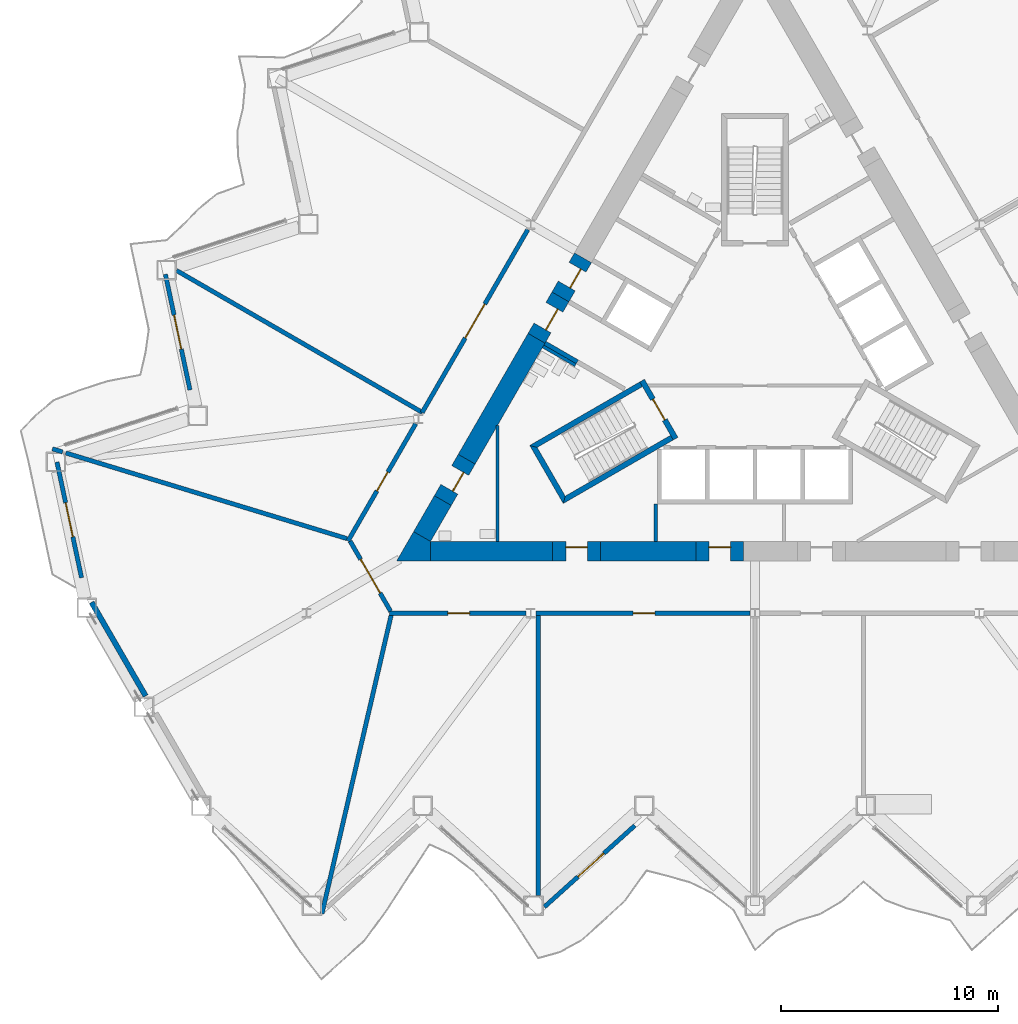
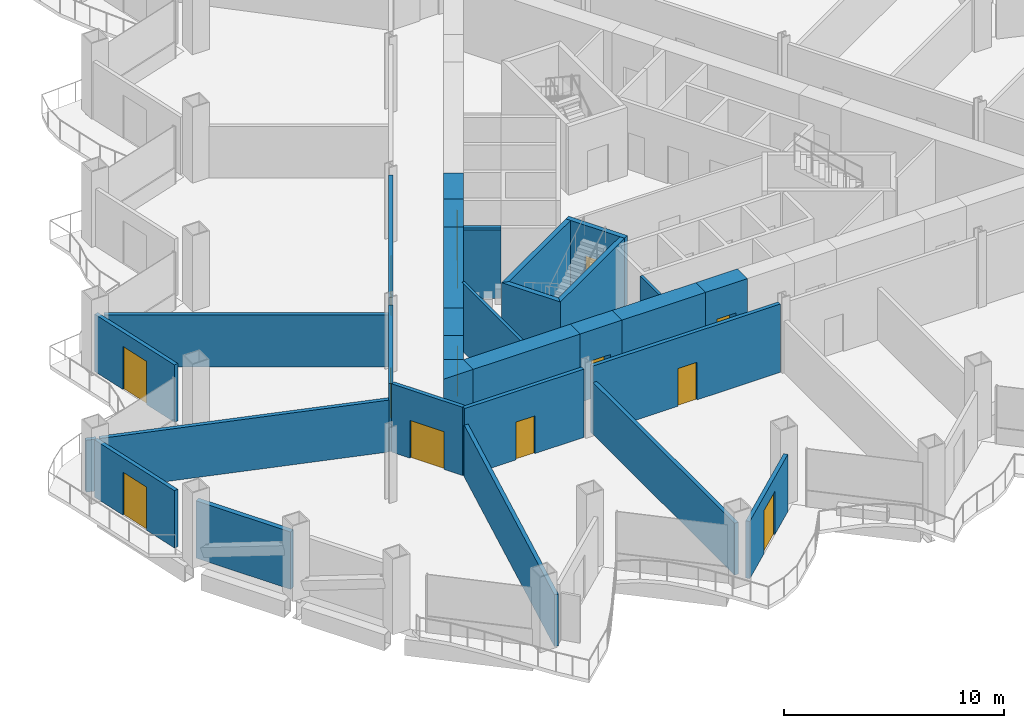
# One storey, part 10 of 21: 32 walls, 14 doors, 14 openings.
"""IFC4 building model written with IfcOpenShell, lengths in metres."""

from ifc_helpers import new_model, si_unit, direction, frame, frame_2d, origin, place, context, subcontext, project, spatial, polyline, rectangle, outline, extrude, material, layer, layer_set, type_object, element, fill, save


model = new_model("IFC4")

# Units and contexts
model_context = context("Model", 3, precision=1e-05, world=origin(), true_north=direction((0.0, 1.0)))
body_context = subcontext(model_context, "Body", "Model", "MODEL_VIEW")
ifc_project = project(units=[si_unit("LENGTHUNIT", "METRE"), si_unit("AREAUNIT", "SQUARE_METRE"), si_unit("VOLUMEUNIT", "CUBIC_METRE"), si_unit("PLANEANGLEUNIT", "RADIAN"), si_unit("MASSUNIT", "GRAM", prefix="KILO")], contexts=[model_context])

# Site, building, storey
site_placement = place(None, origin())
site = spatial("IfcSite", under=ifc_project, at=site_placement, CompositionType="ELEMENT")
building_placement = place(site_placement, origin())
building = spatial("IfcBuilding", under=site, at=building_placement, Name="Cormorant Prow Tower", CompositionType="ELEMENT")
storey_placement = place(building_placement, frame((0.0, 0.0, 99.60009765625)))
storey = spatial("IfcBuildingStorey", under=building, at=storey_placement, Name="L20", CompositionType="ELEMENT", Elevation=99.60009765625)

# Walls
ifc_material_1 = material(Name="Gypsum board partition")
ifc_layer_1 = layer(ifc_material_1, 0.14990234375)
ifc_layer_set_1 = layer_set([ifc_layer_1], Name="Gypsum board partition")
wall_type_1 = type_object("IfcWallType", Name="Core partition 150", PredefinedType="PARTITIONING", material=ifc_layer_set_1)
for number, where, z_axis, x_axis, name in (
    (1, (-8.268310546875, -0.509033203125, 0.0), (0.0, 0.0, 1.0), (-0.866024871741, 0.500000921525, 0.0), "Service room partition"),
    (2, (-4.574951171875, -6.906005859375, 0.0), (0.0, 0.0, 1.0), (0.0, -1.0, 0.0), "Service room partition"),
):
    element("IfcWall", number, at=place(storey_placement, frame(where, z_axis=z_axis, x_axis=x_axis)), inside=storey, type_object=wall_type_1, Name=name, PredefinedType="PARTITIONING", context=body_context, shape_type="SweptSolid", body=[
        extrude(rectangle(XDim=1.72021484375, YDim=0.14990234375, at=frame_2d((0.860107421875, 0.0))), origin(), (0.0, 0.0, 1.0), 3.7998046875),
    ])
wall_1_placement = place(storey_placement, frame((-11.853759765625, -8.626220703125, 0.0), z_axis=(0.0, 0.0, 1.0), x_axis=(0.0, 1.0, 0.0)))
element("IfcWall", 3, at=wall_1_placement, inside=storey, type_object=wall_type_1, Name="Service room partition", PredefinedType="PARTITIONING", context=body_context, shape_type="SweptSolid", body=[
    extrude(rectangle(XDim=5.347412109375, YDim=0.14990234375, at=frame_2d((2.673828125, 0.0))), origin(), (0.0, 0.0, 1.0), 3.7998046875),
])
ifc_material_2 = material(Name="Concrete 8000 psi", Category="concrete")
ifc_layer_2 = layer(ifc_material_2, 0.89990234375)
ifc_layer_set_2 = layer_set([ifc_layer_2], Name="Concrete 8000 psi")
wall_type_2 = type_object("IfcWallType", Name="Core shear wall 900", PredefinedType="SHEAR", material=ifc_layer_set_2)
wall_2_placement = place(storey_placement, frame((-14.941162109375, -9.076416015625, 0.0), z_axis=(0.0, 0.0, 1.0), x_axis=(1.0, 0.0, 0.0)))
element("IfcWall", 4, at=wall_2_placement, inside=storey, type_object=wall_type_2, Name="Core wall", PredefinedType="SHEAR", context=body_context, shape_type="SweptSolid", body=[
    extrude(rectangle(XDim=5.626708984375, YDim=0.89990234375, at=frame_2d((2.8134765625, 0.0))), origin(), (0.0, 0.0, 1.0), 3.7998046875),
])
wall_3_placement = place(storey_placement, frame((-7.114501953125, -9.076416015625, 0.0), z_axis=(0.0, 0.0, 1.0), x_axis=(1.0, 0.0, 0.0)))
element("IfcWall", 5, at=wall_3_placement, inside=storey, type_object=wall_type_2, Name="Core wall", PredefinedType="SHEAR", context=body_context, shape_type="SweptSolid", body=[
    extrude(rectangle(XDim=4.393310546875, YDim=0.89990234375, at=frame_2d((2.19677734375, 0.0))), origin(), (0.0, 0.0, 1.0), 3.7998046875),
])
wall_4_placement = place(storey_placement, frame((-10.060302734375, 0.7275390625, 0.0), z_axis=(0.0, 0.0, 1.0), x_axis=(-0.500002975332, -0.866023685969, 0.0)))
element("IfcWall", 6, at=wall_4_placement, inside=storey, type_object=wall_type_2, Name="Core wall", PredefinedType="SHEAR", context=body_context, shape_type="SweptSolid", body=[
    extrude(rectangle(XDim=6.4287109375, YDim=0.89990234375, at=frame_2d((3.21435546875, 0.0))), origin(), (0.0, 0.0, 1.0), 3.7998046875),
])
wall_5_placement = place(storey_placement, frame((-14.374755859375, -6.7451171875, 0.0), z_axis=(0.0, 0.0, 1.0), x_axis=(-0.499928740635, -0.866066541489, 0.0)))
element("IfcWall", 7, at=wall_5_placement, inside=storey, type_object=wall_type_2, Name="Core wall", PredefinedType="SHEAR", context=body_context, shape_type="SweptSolid", body=[
    extrude(rectangle(XDim=1.912353515625, YDim=0.89990234375, at=frame_2d((0.9560546875, 0.0))), origin(), (0.0, 0.0, 1.0), 3.7998046875),
])
wall_6_placement = place(storey_placement, origin())
element("IfcWall", 8, at=wall_6_placement, inside=storey, type_object=wall_type_2, Name="Core wall corner", PredefinedType="SHEAR", context=body_context, shape_type="SweptSolid", body=[
    extrude(outline(polyline([(-14.941162109375, -8.626220703125), (-14.941162109375, -9.5263671875), (-16.5, -9.5263671875), (-15.720703125, -8.17626953125), (-14.941162109375, -8.626220703125)])), origin(), (0.0, 0.0, 1.0), 3.7998046875),
])

# Wall, opening, door
wall_7_placement = place(storey_placement, frame((-2.72119140625, -9.076416015625, 0.0), z_axis=(0.0, 0.0, 1.0), x_axis=(1.0, 0.0, 0.0)))
wall_7 = element("IfcWall", 9, at=wall_7_placement, inside=storey, type_object=wall_type_2, Name="Core wall door panel", PredefinedType="SHEAR", context=body_context, shape_type="SweptSolid", body=[
    extrude(rectangle(XDim=2.199951171875, YDim=0.89990234375, at=frame_2d((1.10009765625, 0.0))), origin(), (0.0, 0.0, 1.0), 3.7998046875),
])
opening_1_placement = place(wall_7_placement, frame((0.60009765625, 0.0, 0.0)))
opening_1 = element("IfcOpeningElement", 10, at=opening_1_placement, cuts=wall_7, Name="Opening L20-C15", PredefinedType="OPENING", context=body_context, shape_type="SweptSolid", body=[
    extrude(rectangle(XDim=1.0, YDim=2.10009765625, at=frame_2d((0.5, 1.050048828125))), frame((0.0, 0.4599609375, 0.0), z_axis=(0.0, -1.0, 0.0), x_axis=(1.0, 0.0, 0.0)), (0.0, 0.0, 1.0), 0.919921875),
])
ifc_material_3 = material(Name="Painted steel", Category="steel")
door_type_1 = type_object("IfcDoorType", Name="Service door 1000x2100", OperationType="NOTDEFINED", PredefinedType="DOOR", material=ifc_material_3)
door_1_placement = place(opening_1_placement, origin())
door_1 = element("IfcDoor", 11, at=door_1_placement, inside=storey, type_object=door_type_1, Name="Core door, Telecom room", OperationType="SINGLE_SWING_RIGHT", OverallHeight=2.10009765625, OverallWidth=1.0, PredefinedType="DOOR", context=body_context, shape_type="SweptSolid", body=[
    extrude(rectangle(XDim=1.0, YDim=2.10009765625, at=frame_2d((0.5, 1.050048828125))), frame((0.0, 0.205078125, 0.0), z_axis=(0.0, -1.0, 0.0), x_axis=(1.0, 0.0, 0.0)), (0.0, 0.0, 1.0), 0.050048828125),
])
fill(opening_1, door_1)

wall_8_placement = place(storey_placement, frame((-13.274658203125, -4.83984375, 0.0), z_axis=(0.0, 0.0, 1.0), x_axis=(-0.50002983664, -0.866008176907, 0.0)))
wall_8 = element("IfcWall", 12, at=wall_8_placement, inside=storey, type_object=wall_type_2, Name="Core wall door panel", PredefinedType="SHEAR", context=body_context, shape_type="SweptSolid", body=[
    extrude(rectangle(XDim=2.199951171875, YDim=0.89990234375, at=frame_2d((1.10009765625, 0.0))), origin(), (0.0, 0.0, 1.0), 3.7998046875),
])
opening_2_placement = place(wall_8_placement, frame((0.60009765625, 0.0, 0.0)))
opening_2 = element("IfcOpeningElement", 13, at=opening_2_placement, cuts=wall_8, Name="Opening L20-C18", PredefinedType="OPENING", context=body_context, shape_type="SweptSolid", body=[
    extrude(rectangle(XDim=1.0, YDim=2.10009765625, at=frame_2d((0.5, 1.050048828125))), frame((0.0, 0.4599609375, 0.0), z_axis=(0.0, -1.0, 0.0), x_axis=(1.0, 0.0, 0.0)), (0.0, 0.0, 1.0), 0.919921875),
])
door_2_placement = place(opening_2_placement, origin())
door_2 = element("IfcDoor", 14, at=door_2_placement, inside=storey, type_object=door_type_1, Name="Core door, Accessible WC L20", OperationType="SINGLE_SWING_LEFT", OverallHeight=2.10009765625, OverallWidth=1.0, PredefinedType="DOOR", context=body_context, shape_type="SweptSolid", body=[
    extrude(rectangle(XDim=1.0, YDim=2.10009765625, at=frame_2d((0.5, 1.050048828125))), frame((0.0, 0.205078125, 0.0), z_axis=(0.0, -1.0, 0.0), x_axis=(1.0, 0.0, 0.0)), (0.0, 0.0, 1.0), 0.050048828125),
])
fill(opening_2, door_2)

wall_9_placement = place(storey_placement, frame((-9.314453125, -9.076416015625, 0.0), z_axis=(0.0, 0.0, 1.0), x_axis=(1.0, 0.0, 0.0)))
wall_9 = element("IfcWall", 15, at=wall_9_placement, inside=storey, type_object=wall_type_2, Name="Core wall door panel", PredefinedType="SHEAR", context=body_context, shape_type="SweptSolid", body=[
    extrude(rectangle(XDim=2.199951171875, YDim=0.89990234375, at=frame_2d((1.10009765625, 0.0))), origin(), (0.0, 0.0, 1.0), 3.7998046875),
])
opening_3_placement = place(wall_9_placement, frame((0.60009765625, 0.0, 0.0)))
opening_3 = element("IfcOpeningElement", 16, at=opening_3_placement, cuts=wall_9, Name="Opening L20-C19", PredefinedType="OPENING", context=body_context, shape_type="SweptSolid", body=[
    extrude(rectangle(XDim=1.0, YDim=2.10009765625, at=frame_2d((0.5, 1.050048828125))), frame((0.0, 0.4599609375, 0.0), z_axis=(0.0, -1.0, 0.0), x_axis=(1.0, 0.0, 0.0)), (0.0, 0.0, 1.0), 0.919921875),
])
door_3_placement = place(opening_3_placement, origin())
door_3 = element("IfcDoor", 17, at=door_3_placement, inside=storey, type_object=door_type_1, Name="Core door, Toilets (women) L20", OperationType="SINGLE_SWING_LEFT", OverallHeight=2.10009765625, OverallWidth=1.0, PredefinedType="DOOR", context=body_context, shape_type="SweptSolid", body=[
    extrude(rectangle(XDim=1.0, YDim=2.10009765625, at=frame_2d((0.5, 1.050048828125))), frame((0.0, 0.205078125, 0.0), z_axis=(0.0, -1.0, 0.0), x_axis=(1.0, 0.0, 0.0)), (0.0, 0.0, 1.0), 0.050048828125),
])
fill(opening_3, door_3)

wall_10_placement = place(storey_placement, frame((-7.92041015625, 4.43408203125, 0.0), z_axis=(0.0, 0.0, 1.0), x_axis=(-0.499939227269, -0.866060488094, 0.0)))
wall_10 = element("IfcWall", 18, at=wall_10_placement, inside=storey, type_object=wall_type_2, Name="Core wall door panel", PredefinedType="SHEAR", context=body_context, shape_type="SweptSolid", body=[
    extrude(rectangle(XDim=2.079833984375, YDim=0.89990234375, at=frame_2d((1.0400390625, 0.0))), origin(), (0.0, 0.0, 1.0), 3.7998046875),
])
opening_4_placement = place(wall_10_placement, frame((0.5, 0.0, 0.0)))
opening_4 = element("IfcOpeningElement", 19, at=opening_4_placement, cuts=wall_10, Name="Opening L20-C21", PredefinedType="OPENING", context=body_context, shape_type="SweptSolid", body=[
    extrude(rectangle(XDim=1.0, YDim=2.10009765625, at=frame_2d((0.5, 1.050048828125))), frame((0.0, 0.4599609375, 0.0), z_axis=(0.0, -1.0, 0.0), x_axis=(1.0, 0.0, 0.0)), (0.0, 0.0, 1.0), 0.919921875),
])
door_4_placement = place(opening_4_placement, origin())
door_4 = element("IfcDoor", 20, at=door_4_placement, inside=storey, type_object=door_type_1, Name="Core door, Electrical room", OperationType="SINGLE_SWING_RIGHT", OverallHeight=2.10009765625, OverallWidth=1.0, PredefinedType="DOOR", context=body_context, shape_type="SweptSolid", body=[
    extrude(rectangle(XDim=1.0, YDim=2.10009765625, at=frame_2d((0.5, 1.050048828125))), frame((0.0, 0.205078125, 0.0), z_axis=(0.0, -1.0, 0.0), x_axis=(1.0, 0.0, 0.0)), (0.0, 0.0, 1.0), 0.050048828125),
])
fill(opening_4, door_4)

wall_11_placement = place(storey_placement, frame((-8.960205078125, 2.6328125, 0.0), z_axis=(0.0, 0.0, 1.0), x_axis=(-0.50002983664, -0.866008176907, 0.0)))
wall_11 = element("IfcWall", 21, at=wall_11_placement, inside=storey, type_object=wall_type_2, Name="Core wall door panel", PredefinedType="SHEAR", context=body_context, shape_type="SweptSolid", body=[
    extrude(rectangle(XDim=2.199951171875, YDim=0.89990234375, at=frame_2d((1.10009765625, 0.0))), origin(), (0.0, 0.0, 1.0), 3.7998046875),
])
opening_5_placement = place(wall_11_placement, frame((0.550048828125, 0.0, 0.0)))
opening_5 = element("IfcOpeningElement", 22, at=opening_5_placement, cuts=wall_11, Name="Opening L20-C24", PredefinedType="OPENING", context=body_context, shape_type="SweptSolid", body=[
    extrude(rectangle(XDim=1.10009765625, YDim=2.10009765625, at=frame_2d((0.550048828125, 1.050048828125))), frame((0.0, 0.4599609375, 0.0), z_axis=(0.0, -1.0, 0.0), x_axis=(1.0, 0.0, 0.0)), (0.0, 0.0, 1.0), 0.919921875),
])
ifc_material_4 = material(Name="Painted steel", Category="steel")
door_type_2 = type_object("IfcDoorType", Name="Core door 1100x2100", OperationType="NOTDEFINED", PredefinedType="DOOR", material=ifc_material_4)
door_5_placement = place(opening_5_placement, origin())
door_5 = element("IfcDoor", 23, at=door_5_placement, inside=storey, type_object=door_type_2, Name="Core door, lift lobby", OperationType="SINGLE_SWING_LEFT", OverallHeight=2.10009765625, OverallWidth=1.10009765625, PredefinedType="DOOR", context=body_context, shape_type="SweptSolid", body=[
    extrude(rectangle(XDim=1.10009765625, YDim=2.10009765625, at=frame_2d((0.550048828125, 1.050048828125))), frame((0.0, 0.205078125, 0.0), z_axis=(0.0, -1.0, 0.0), x_axis=(1.0, 0.0, 0.0)), (0.0, 0.0, 1.0), 0.050048828125),
])
fill(opening_5, door_5)

ifc_material_5 = material(Name="Gypsum board corridor wall")
ifc_layer_3 = layer(ifc_material_5, 0.199951171875)
ifc_layer_set_3 = layer_set([ifc_layer_3], Name="Gypsum board corridor wall")
wall_type_3 = type_object("IfcWallType", Name="Corridor wall 200", PredefinedType="PARTITIONING", material=ifc_layer_set_3)
wall_12_placement = place(storey_placement, frame((-10.095458984375, -11.92626953125, 0.0), z_axis=(0.0, 0.0, 1.0), x_axis=(1.0, 0.0, 0.0)))
wall_12 = element("IfcWall", 24, at=wall_12_placement, inside=storey, type_object=wall_type_3, Name="Corridor wall", PredefinedType="PARTITIONING", context=body_context, shape_type="SweptSolid", body=[
    extrude(rectangle(XDim=9.8681640625, YDim=0.199951171875, at=frame_2d((4.93408203125, 0.0))), origin(), (0.0, 0.0, 1.0), 3.7998046875),
])
opening_6_placement = place(wall_12_placement, frame((4.484375, 0.0, 0.0)))
opening_6 = element("IfcOpeningElement", 25, at=opening_6_placement, cuts=wall_12, Name="Opening L20-F02", PredefinedType="OPENING", context=body_context, shape_type="SweptSolid", body=[
    extrude(rectangle(XDim=1.0, YDim=2.10009765625, at=frame_2d((0.5, 1.050048828125))), frame((0.0, 0.10986328125, 0.0), z_axis=(0.0, -1.0, 0.0), x_axis=(1.0, 0.0, 0.0)), (0.0, 0.0, 1.0), 0.219970703125),
])
ifc_material_6 = material(Name="Timber door leaf", Category="wood")
door_type_3 = type_object("IfcDoorType", Name="Office door 1000x2100", OperationType="NOTDEFINED", PredefinedType="DOOR", material=ifc_material_6)
door_6_placement = place(opening_6_placement, origin())
door_6 = element("IfcDoor", 26, at=door_6_placement, inside=storey, type_object=door_type_3, Name="Tenant suite door", OperationType="SINGLE_SWING_LEFT", OverallHeight=2.10009765625, OverallWidth=1.0, PredefinedType="DOOR", context=body_context, shape_type="SweptSolid", body=[
    extrude(rectangle(XDim=1.0, YDim=2.10009765625, at=frame_2d((0.5, 1.050048828125))), frame((0.0, 0.02490234375, 0.0), z_axis=(0.0, -1.0, 0.0), x_axis=(1.0, 0.0, 0.0)), (0.0, 0.0, 1.0), 0.050048828125),
])
fill(opening_6, door_6)

wall_13_placement = place(storey_placement, frame((-15.326171875, -2.693115234375, 0.0), z_axis=(0.0, 0.0, 1.0), x_axis=(0.500010522431, 0.866019328571, 0.0)))
wall_13 = element("IfcWall", 27, at=wall_13_placement, inside=storey, type_object=wall_type_3, Name="Corridor wall", PredefinedType="PARTITIONING", context=body_context, shape_type="SweptSolid", body=[
    extrude(rectangle(XDim=9.732666015625, YDim=0.199951171875, at=frame_2d((4.8662109375, 0.0))), origin(), (0.0, 0.0, 1.0), 3.7998046875),
])
opening_7_placement = place(wall_13_placement, frame((3.96630859375, 0.0, 0.0)))
opening_7 = element("IfcOpeningElement", 28, at=opening_7_placement, cuts=wall_13, Name="Opening L20-F13", PredefinedType="OPENING", context=body_context, shape_type="SweptSolid", body=[
    extrude(rectangle(XDim=1.800048828125, YDim=2.10009765625, at=frame_2d((0.89990234375, 1.050048828125))), frame((0.0, 0.10986328125, 0.0), z_axis=(0.0, -1.0, 0.0), x_axis=(1.0, 0.0, 0.0)), (0.0, 0.0, 1.0), 0.219970703125),
])
ifc_material_7 = material(Name="Timber door leaf", Category="wood")
door_type_4 = type_object("IfcDoorType", Name="Double door 1800x2100", OperationType="DOUBLE_DOOR_SINGLE_SWING", PredefinedType="DOOR", material=ifc_material_7)
door_7_placement = place(opening_7_placement, origin())
door_7 = element("IfcDoor", 29, at=door_7_placement, inside=storey, type_object=door_type_4, Name="Trading room door", OperationType="DOUBLE_DOOR_SINGLE_SWING", OverallHeight=2.10009765625, OverallWidth=1.800048828125, PredefinedType="DOOR", context=body_context, shape_type="SweptSolid", body=[
    extrude(rectangle(XDim=1.800048828125, YDim=2.10009765625, at=frame_2d((0.89990234375, 1.050048828125))), frame((0.0, 0.02490234375, 0.0), z_axis=(0.0, -1.0, 0.0), x_axis=(1.0, 0.0, 0.0)), (0.0, 0.0, 1.0), 0.050048828125),
])
fill(opening_7, door_7)

wall_14_placement = place(storey_placement, frame((-16.830810546875, -11.92626953125, 0.0), z_axis=(0.0, 0.0, 1.0), x_axis=(1.0, 0.0, 0.0)))
wall_14 = element("IfcWall", 30, at=wall_14_placement, inside=storey, type_object=wall_type_3, Name="Corridor wall", PredefinedType="PARTITIONING", context=body_context, shape_type="SweptSolid", body=[
    extrude(rectangle(XDim=6.27490234375, YDim=0.199951171875, at=frame_2d((3.137451171875, 0.0))), origin(), (0.0, 0.0, 1.0), 3.7998046875),
])
opening_8_placement = place(wall_14_placement, frame((2.688232421875, 0.0, 0.0)))
opening_8 = element("IfcOpeningElement", 31, at=opening_8_placement, cuts=wall_14, Name="Opening L20-F01", PredefinedType="OPENING", context=body_context, shape_type="SweptSolid", body=[
    extrude(rectangle(XDim=1.0, YDim=2.10009765625, at=frame_2d((0.5, 1.050048828125))), frame((0.0, 0.10986328125, 0.0), z_axis=(0.0, -1.0, 0.0), x_axis=(1.0, 0.0, 0.0)), (0.0, 0.0, 1.0), 0.219970703125),
])
door_8_placement = place(opening_8_placement, origin())
door_8 = element("IfcDoor", 32, at=door_8_placement, inside=storey, type_object=door_type_3, Name="Co-working room door", OperationType="SINGLE_SWING_LEFT", OverallHeight=2.10009765625, OverallWidth=1.0, PredefinedType="DOOR", context=body_context, shape_type="SweptSolid", body=[
    extrude(rectangle(XDim=1.0, YDim=2.10009765625, at=frame_2d((0.5, 1.050048828125))), frame((0.0, 0.02490234375, 0.0), z_axis=(0.0, -1.0, 0.0), x_axis=(1.0, 0.0, 0.0)), (0.0, 0.0, 1.0), 0.050048828125),
])
fill(opening_8, door_8)

wall_15_placement = place(storey_placement, frame((-18.743896484375, -8.61279296875, 0.0), z_axis=(0.0, 0.0, 1.0), x_axis=(0.499997920671, 0.866026604282, 0.0)))
wall_15 = element("IfcWall", 33, at=wall_15_placement, inside=storey, type_object=wall_type_3, Name="Corridor wall", PredefinedType="PARTITIONING", context=body_context, shape_type="SweptSolid", body=[
    extrude(rectangle(XDim=6.23974609375, YDim=0.199951171875, at=frame_2d((3.119873046875, 0.0))), origin(), (0.0, 0.0, 1.0), 3.7998046875),
])
opening_9_placement = place(wall_15_placement, frame((2.67041015625, 0.0, 0.0)))
opening_9 = element("IfcOpeningElement", 34, at=opening_9_placement, cuts=wall_15, Name="Opening L20-F14", PredefinedType="OPENING", context=body_context, shape_type="SweptSolid", body=[
    extrude(rectangle(XDim=1.0, YDim=2.10009765625, at=frame_2d((0.5, 1.050048828125))), frame((0.0, 0.10986328125, 0.0), z_axis=(0.0, -1.0, 0.0), x_axis=(1.0, 0.0, 0.0)), (0.0, 0.0, 1.0), 0.219970703125),
])
door_9_placement = place(opening_9_placement, origin())
door_9 = element("IfcDoor", 35, at=door_9_placement, inside=storey, type_object=door_type_3, Name="Open-plan office door", OperationType="SINGLE_SWING_LEFT", OverallHeight=2.10009765625, OverallWidth=1.0, PredefinedType="DOOR", context=body_context, shape_type="SweptSolid", body=[
    extrude(rectangle(XDim=1.0, YDim=2.10009765625, at=frame_2d((0.5, 1.050048828125))), frame((0.0, 0.02490234375, 0.0), z_axis=(0.0, -1.0, 0.0), x_axis=(1.0, 0.0, 0.0)), (0.0, 0.0, 1.0), 0.050048828125),
])
fill(opening_9, door_9)

wall_16_placement = place(storey_placement, frame((-18.643798828125, -8.61279296875, 0.0), z_axis=(0.0, 0.0, 1.0), x_axis=(0.499958791762, -0.866049194065, 0.0)))
wall_16 = element("IfcWall", 36, at=wall_16_placement, inside=storey, type_object=wall_type_3, Name="Corridor wall", PredefinedType="PARTITIONING", context=body_context, shape_type="SweptSolid", body=[
    extrude(rectangle(XDim=3.725830078125, YDim=0.199951171875, at=frame_2d((1.86279296875, 0.0))), origin(), (0.0, 0.0, 1.0), 3.7998046875),
])
opening_10_placement = place(wall_16_placement, frame((0.962890625, 0.0, 0.0)))
opening_10 = element("IfcOpeningElement", 37, at=opening_10_placement, cuts=wall_16, Name="Opening L20-F15", PredefinedType="OPENING", context=body_context, shape_type="SweptSolid", body=[
    extrude(rectangle(XDim=1.800048828125, YDim=2.10009765625, at=frame_2d((0.89990234375, 1.050048828125))), frame((0.0, 0.10986328125, 0.0), z_axis=(0.0, -1.0, 0.0), x_axis=(1.0, 0.0, 0.0)), (0.0, 0.0, 1.0), 0.219970703125),
])
door_10_placement = place(opening_10_placement, origin())
door_10 = element("IfcDoor", 38, at=door_10_placement, inside=storey, type_object=door_type_4, Name="Trading room door", OperationType="DOUBLE_DOOR_SINGLE_SWING", OverallHeight=2.10009765625, OverallWidth=1.800048828125, PredefinedType="DOOR", context=body_context, shape_type="SweptSolid", body=[
    extrude(rectangle(XDim=1.800048828125, YDim=2.10009765625, at=frame_2d((0.89990234375, 1.050048828125))), frame((0.0, 0.02490234375, 0.0), z_axis=(0.0, -1.0, 0.0), x_axis=(1.0, 0.0, 0.0)), (0.0, 0.0, 1.0), 0.050048828125),
])
fill(opening_10, door_10)

# Walls
ifc_material_8 = material(Name="Gypsum board demising wall")
ifc_layer_4 = layer(ifc_material_8, 0.199951171875)
ifc_layer_set_4 = layer_set([ifc_layer_4], Name="Gypsum board demising wall")
wall_type_4 = type_object("IfcWallType", Name="Demising wall 200", PredefinedType="PARTITIONING", material=ifc_layer_set_4)
wall_17_placement = place(storey_placement, frame((-19.939697265625, -25.766845703125, 0.0), z_axis=(0.0, 0.0, 1.0), x_axis=(0.225854066841, 0.974161147086, 0.0)))
element("IfcWall", 39, at=wall_17_placement, inside=storey, type_object=wall_type_4, Name="Demising wall", PredefinedType="PARTITIONING", context=body_context, shape_type="SweptSolid", body=[
    extrude(rectangle(XDim=14.107666015625, YDim=0.199951171875, at=frame_2d((7.0537109375, 0.0))), origin(), (0.0, 0.0, 1.0), 2.88525390625),
])
wall_18_placement = place(storey_placement, frame((-31.736083984375, -4.552001953125, 0.0), z_axis=(0.0, 0.0, 1.0), x_axis=(0.956574643239, -0.291487481569, 0.0)))
element("IfcWall", 40, at=wall_18_placement, inside=storey, type_object=wall_type_4, Name="Demising wall", PredefinedType="PARTITIONING", context=body_context, shape_type="SweptSolid", body=[
    extrude(rectangle(XDim=13.5341796875, YDim=0.199951171875, at=frame_2d((6.76708984375, 0.0))), origin(), (0.0, 0.0, 1.0), 2.88525390625),
])
wall_19_placement = place(storey_placement, frame((-26.63623046875, 3.848388671875, 0.0), z_axis=(0.0, 0.0, 1.0), x_axis=(0.866029068465, -0.499993652534, 0.0)))
element("IfcWall", 41, at=wall_19_placement, inside=storey, type_object=wall_type_4, Name="Demising wall", PredefinedType="PARTITIONING", context=body_context, shape_type="SweptSolid", body=[
    extrude(rectangle(XDim=13.065673828125, YDim=0.199951171875, at=frame_2d((6.53271484375, 0.0))), origin(), (0.0, 0.0, 1.0), 2.88525390625),
])
wall_20_placement = place(storey_placement, frame((-9.9853515625, -24.939208984375, 0.0), z_axis=(0.0, 0.0, 1.0), x_axis=(0.0, 1.0, 0.0)))
element("IfcWall", 42, at=wall_20_placement, inside=storey, type_object=wall_type_4, Name="Demising wall", PredefinedType="PARTITIONING", context=body_context, shape_type="SweptSolid", body=[
    extrude(rectangle(XDim=12.912841796875, YDim=0.199951171875, at=frame_2d((6.45654296875, 0.0))), origin(), (0.0, 0.0, 1.0), 2.88525390625),
])
wall_21_placement = place(storey_placement, frame((-32.353759765625, -4.364013671875, 0.0), z_axis=(0.0, 0.0, 1.0), x_axis=(0.956697940105, -0.291082550832, 0.0)))
element("IfcWall", 43, at=wall_21_placement, inside=storey, type_object=wall_type_4, Name="Demising wall", PredefinedType="PARTITIONING", context=body_context, shape_type="SweptSolid", body=[
    extrude(rectangle(XDim=0.491455078125, YDim=0.199951171875, at=frame_2d((0.24560546875, 0.0))), origin(), (0.0, 0.0, 1.0), 2.88525390625),
])
ifc_material_9 = material(Name="Concrete 8000 psi", Category="concrete")
ifc_layer_5 = layer(ifc_material_9, 0.199951171875)
ifc_layer_set_5 = layer_set([ifc_layer_5], Name="Concrete 8000 psi")
wall_type_5 = type_object("IfcWallType", Name="Lift shaft wall 200", PredefinedType="SHEAR", material=ifc_layer_set_5)
wall_22_placement = place(storey_placement, frame((-8.180908203125, -0.357421875, 0.0), z_axis=(0.0, 0.0, 1.0), x_axis=(-0.866024871741, 0.500000921525, 0.0)))
element("IfcWall", 44, at=wall_22_placement, inside=storey, type_object=wall_type_5, Name="Lobby passage wall", PredefinedType="SHEAR", context=body_context, shape_type="SweptSolid", body=[
    extrude(rectangle(XDim=1.72021484375, YDim=0.199951171875, at=frame_2d((0.860107421875, 0.0))), origin(), (0.0, 0.0, 1.0), 3.7998046875),
])
ifc_material_10 = material(Name="Concrete 8000 psi", Category="concrete")
ifc_layer_6 = layer(ifc_material_10, 0.25)
ifc_layer_set_6 = layer_set([ifc_layer_6], Name="Concrete 8000 psi")
wall_type_6 = type_object("IfcWallType", Name="Stair wall 250", PredefinedType="SHEAR", material=ifc_layer_set_6)
wall_23_placement = place(storey_placement, origin())
element("IfcWall", 45, at=wall_23_placement, inside=storey, type_object=wall_type_6, Name="Stair ST1 enclosure wall (flank)", PredefinedType="SHEAR", context=body_context, shape_type="SweptSolid", body=[
    extrude(outline(polyline([(-5.30712890625, -1.28125), (-10.37353515625, -4.206298828125), (-10.031982421875, -4.2978515625), (-5.18212890625, -1.497802734375), (-5.30712890625, -1.28125)])), origin(), (0.0, 0.0, 1.0), 3.7998046875),
])
wall_24_placement = place(storey_placement, origin())
element("IfcWall", 46, at=wall_24_placement, inside=storey, type_object=wall_type_6, Name="Stair ST1 enclosure wall (end)", PredefinedType="SHEAR", context=body_context, shape_type="SweptSolid", body=[
    extrude(outline(polyline([(-10.37353515625, -4.206298828125), (-8.82958984375, -6.880615234375), (-8.738037109375, -6.5390625), (-10.031982421875, -4.2978515625), (-10.37353515625, -4.206298828125)])), origin(), (0.0, 0.0, 1.0), 3.7998046875),
])
wall_25_placement = place(storey_placement, origin())
element("IfcWall", 47, at=wall_25_placement, inside=storey, type_object=wall_type_6, Name="Stair ST1 enclosure wall (flank)", PredefinedType="SHEAR", context=body_context, shape_type="SweptSolid", body=[
    extrude(outline(polyline([(-8.738037109375, -6.5390625), (-8.82958984375, -6.880615234375), (-3.76318359375, -3.95556640625), (-3.88818359375, -3.739013671875), (-8.738037109375, -6.5390625)])), origin(), (0.0, 0.0, 1.0), 3.7998046875),
])

# Wall, opening, door
wall_26_placement = place(storey_placement, frame((-5.198974609375, -1.21875, 0.0), z_axis=(0.0, 0.0, 1.0), x_axis=(0.499982516597, -0.866035497597, 0.0)))
wall_26 = element("IfcWall", 48, at=wall_26_placement, inside=storey, type_object=wall_type_6, Name="Stair ST1 door wall", PredefinedType="SHEAR", context=body_context, shape_type="SweptSolid", body=[
    extrude(rectangle(XDim=3.087890625, YDim=0.25, at=frame_2d((1.5439453125, 0.0))), origin(), (0.0, 0.0, 1.0), 3.7998046875),
])
opening_11_placement = place(wall_26_placement, frame((0.993896484375, 0.0, 0.0)))
opening_11 = element("IfcOpeningElement", 49, at=opening_11_placement, cuts=wall_26, Name="Opening L20-C12", PredefinedType="OPENING", context=body_context, shape_type="SweptSolid", body=[
    extrude(rectangle(XDim=1.10009765625, YDim=2.10009765625, at=frame_2d((0.550048828125, 1.050048828125))), frame((0.0, 0.135009765625, 0.0), z_axis=(0.0, -1.0, 0.0), x_axis=(1.0, 0.0, 0.0)), (0.0, 0.0, 1.0), 0.27001953125),
])
ifc_material_11 = material(Name="Painted steel", Category="steel")
door_type_5 = type_object("IfcDoorType", Name="Stair door 1100x2100", OperationType="NOTDEFINED", PredefinedType="DOOR", material=ifc_material_11)
door_11_placement = place(opening_11_placement, origin())
door_11 = element("IfcDoor", 50, at=door_11_placement, inside=storey, type_object=door_type_5, Name="Stair ST1 door", OperationType="SINGLE_SWING_LEFT", OverallHeight=2.10009765625, OverallWidth=1.10009765625, PredefinedType="DOOR", context=body_context, shape_type="SweptSolid", body=[
    extrude(rectangle(XDim=1.10009765625, YDim=2.10009765625, at=frame_2d((0.550048828125, 1.050048828125))), frame((0.0, 0.02490234375, 0.0), z_axis=(0.0, -1.0, 0.0), x_axis=(1.0, 0.0, 0.0)), (0.0, 0.0, 1.0), 0.050048828125),
])
fill(opening_11, door_11)

# Wall
ifc_material_12 = material(Name="Terracotta", Category="masonry")
ifc_layer_7 = layer(ifc_material_12, 0.25)
ifc_layer_set_7 = layer_set([ifc_layer_7], Name="Terracotta")
wall_type_7 = type_object("IfcWallType", Name="Terracotta bay wall 250", PredefinedType="SOLIDWALL", material=ifc_layer_set_7)
wall_27_placement = place(storey_placement, frame((-30.54931640625, -11.4296875, 0.0), z_axis=(0.0, 0.0, 1.0), x_axis=(0.499992577793, -0.866029688955, 0.0)))
element("IfcWall", 51, at=wall_27_placement, inside=storey, type_object=wall_type_7, Name="Terracotta bay wall WSW00", PredefinedType="SOLIDWALL", context=body_context, shape_type="SweptSolid", body=[
    extrude(rectangle(XDim=4.98095703125, YDim=0.25, at=frame_2d((2.490478515625, 0.0))), origin(), (0.0, 0.0, 1.0), 3.188720703125),
])

# Wall, opening, door
ifc_material_13 = material(Name="Terracotta", Category="masonry")
ifc_layer_8 = layer(ifc_material_13, 0.199951171875)
ifc_layer_set_8 = layer_set([ifc_layer_8], Name="Terracotta")
wall_type_8 = type_object("IfcWallType", Name="Terracotta jamb wall 200", PredefinedType="SOLIDWALL", material=ifc_layer_set_8)
wall_28_placement = place(storey_placement, frame((-9.6962890625, -25.45556640625, 0.0), z_axis=(0.0, 0.0, 1.0), x_axis=(0.743151138555, 0.66912359491, 0.0)))
wall_28 = element("IfcWall", 52, at=wall_28_placement, inside=storey, type_object=wall_type_8, Name="Terracotta jamb wall S03", PredefinedType="SOLIDWALL", context=body_context, shape_type="SweptSolid", body=[
    extrude(rectangle(XDim=5.603271484375, YDim=0.199951171875, at=frame_2d((2.8017578125, 0.0))), origin(), (0.0, 0.0, 1.0), 3.188720703125),
])
opening_12_placement = place(wall_28_placement, frame((2.080322265625, 0.0, 0.0)))
opening_12 = element("IfcOpeningElement", 53, at=opening_12_placement, cuts=wall_28, Name="Opening ED20.02", PredefinedType="OPENING", context=body_context, shape_type="SweptSolid", body=[
    extrude(rectangle(XDim=1.60009765625, YDim=2.39990234375, at=frame_2d((0.800048828125, 1.199951171875))), frame((0.0, 0.10986328125, 0.0), z_axis=(0.0, -1.0, 0.0), x_axis=(1.0, 0.0, 0.0)), (0.0, 0.0, 1.0), 0.219970703125),
])
ifc_material_14 = material(Name="Aluminium 6063-T6", Category="aluminium")
door_type_6 = type_object("IfcDoorType", Name="Balcony door 1600x2400", OperationType="DOUBLE_DOOR_SINGLE_SWING", PredefinedType="DOOR", material=ifc_material_14)
door_12_placement = place(opening_12_placement, origin())
door_12 = element("IfcDoor", 54, at=door_12_placement, inside=storey, type_object=door_type_6, Name="Balcony door S03 ED20.02", OperationType="DOUBLE_DOOR_SINGLE_SWING", OverallHeight=2.39990234375, OverallWidth=1.60009765625, PredefinedType="DOOR", context=body_context, shape_type="SweptSolid", body=[
    extrude(rectangle(XDim=1.60009765625, YDim=2.39990234375, at=frame_2d((0.800048828125, 1.199951171875))), frame((0.0, 0.02490234375, 0.0), z_axis=(0.0, -1.0, 0.0), x_axis=(1.0, 0.0, 0.0)), (0.0, 0.0, 1.0), 0.050048828125),
])
fill(opening_12, door_12)

wall_29_placement = place(storey_placement, frame((-27.149658203125, 3.67626953125, 0.0), z_axis=(0.0, 0.0, 1.0), x_axis=(0.207912369528, -0.978147456469, 0.0)))
wall_29 = element("IfcWall", 55, at=wall_29_placement, inside=storey, type_object=wall_type_8, Name="Terracotta jamb wall WNW07", PredefinedType="SOLIDWALL", context=body_context, shape_type="SweptSolid", body=[
    extrude(rectangle(XDim=5.446044921875, YDim=0.199951171875, at=frame_2d((2.72314453125, 0.0))), origin(), (0.0, 0.0, 1.0), 3.188720703125),
])
opening_13_placement = place(wall_29_placement, frame((1.923095703125, 0.0, 0.0)))
opening_13 = element("IfcOpeningElement", 56, at=opening_13_placement, cuts=wall_29, Name="Opening ED20.14", PredefinedType="OPENING", context=body_context, shape_type="SweptSolid", body=[
    extrude(rectangle(XDim=1.60009765625, YDim=2.39990234375, at=frame_2d((0.800048828125, 1.199951171875))), frame((0.0, 0.10986328125, 0.0), z_axis=(0.0, -1.0, 0.0), x_axis=(1.0, 0.0, 0.0)), (0.0, 0.0, 1.0), 0.219970703125),
])
door_13_placement = place(opening_13_placement, origin())
door_13 = element("IfcDoor", 57, at=door_13_placement, inside=storey, type_object=door_type_6, Name="Balcony door WNW07 ED20.14", OperationType="DOUBLE_DOOR_SINGLE_SWING", OverallHeight=2.39990234375, OverallWidth=1.60009765625, PredefinedType="DOOR", context=body_context, shape_type="SweptSolid", body=[
    extrude(rectangle(XDim=1.60009765625, YDim=2.39990234375, at=frame_2d((0.800048828125, 1.199951171875))), frame((0.0, 0.02490234375, 0.0), z_axis=(0.0, -1.0, 0.0), x_axis=(1.0, 0.0, 0.0)), (0.0, 0.0, 1.0), 0.050048828125),
])
fill(opening_13, door_13)

wall_30_placement = place(storey_placement, frame((-32.142333984375, -4.97119140625, 0.0), z_axis=(0.0, 0.0, 1.0), x_axis=(0.207903253291, -0.978149394148, 0.0)))
wall_30 = element("IfcWall", 58, at=wall_30_placement, inside=storey, type_object=wall_type_8, Name="Terracotta jamb wall WNW09", PredefinedType="SOLIDWALL", context=body_context, shape_type="SweptSolid", body=[
    extrude(rectangle(XDim=5.4462890625, YDim=0.199951171875, at=frame_2d((2.72314453125, 0.0))), origin(), (0.0, 0.0, 1.0), 3.188720703125),
])
opening_14_placement = place(wall_30_placement, frame((1.923095703125, 0.0, 0.0)))
opening_14 = element("IfcOpeningElement", 59, at=opening_14_placement, cuts=wall_30, Name="Opening ED20.15", PredefinedType="OPENING", context=body_context, shape_type="SweptSolid", body=[
    extrude(rectangle(XDim=1.60009765625, YDim=2.39990234375, at=frame_2d((0.800048828125, 1.199951171875))), frame((0.0, 0.10986328125, 0.0), z_axis=(0.0, -1.0, 0.0), x_axis=(1.0, 0.0, 0.0)), (0.0, 0.0, 1.0), 0.219970703125),
])
door_14_placement = place(opening_14_placement, origin())
door_14 = element("IfcDoor", 60, at=door_14_placement, inside=storey, type_object=door_type_6, Name="Balcony door WNW09 ED20.15", OperationType="DOUBLE_DOOR_SINGLE_SWING", OverallHeight=2.39990234375, OverallWidth=1.60009765625, PredefinedType="DOOR", context=body_context, shape_type="SweptSolid", body=[
    extrude(rectangle(XDim=1.60009765625, YDim=2.39990234375, at=frame_2d((0.800048828125, 1.199951171875))), frame((0.0, 0.02490234375, 0.0), z_axis=(0.0, -1.0, 0.0), x_axis=(1.0, 0.0, 0.0)), (0.0, 0.0, 1.0), 0.050048828125),
])
fill(opening_14, door_14)

save(model, "model.ifc")
